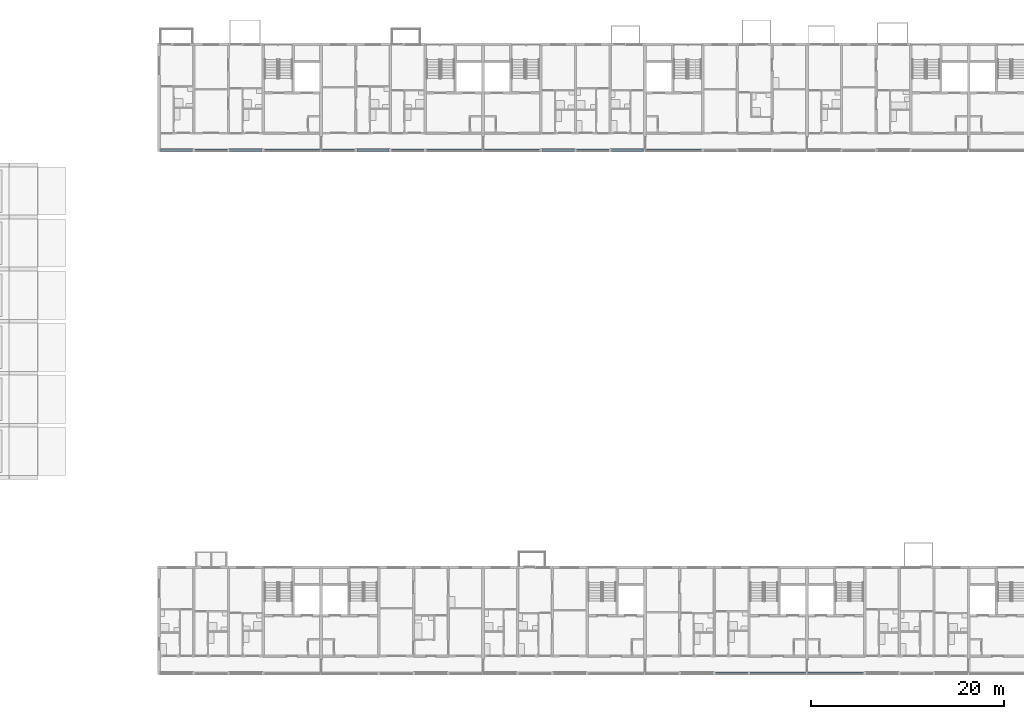
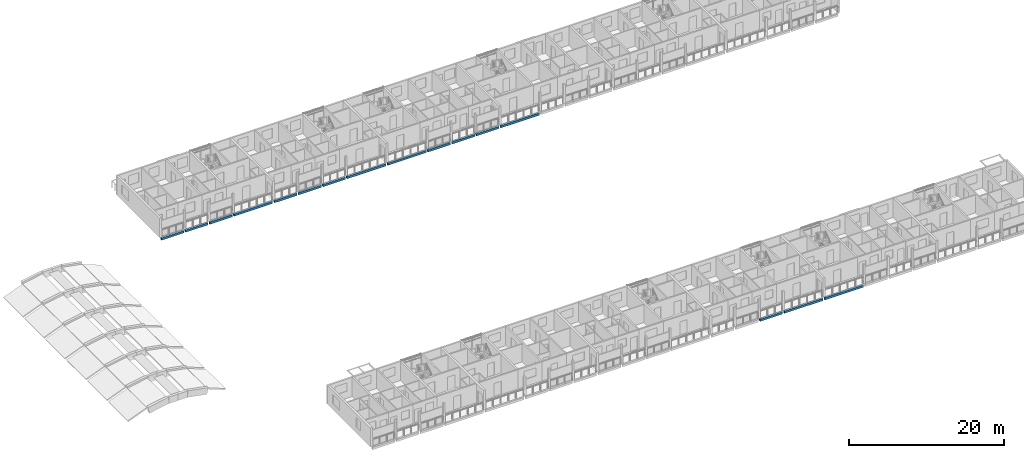
# One storey, part 15 of 93: 16 beams.
"""IFC4 building model written with IfcOpenShell, lengths in metres."""

from ifc_helpers import new_model, si_unit, direction, frame, origin, origin_2d, place, context, subcontext, project, spatial, rectangle, extrude, material, material_profile, profile_set, type_object, element, save


model = new_model("IFC4")

# Units and contexts
model_context = context("Model", 3, precision=1e-05, world=origin(), true_north=direction((0.0, 1.0)))
body_context = subcontext(model_context, "Body", "Model", "MODEL_VIEW")
ifc_project = project(units=[si_unit("LENGTHUNIT", "METRE"), si_unit("AREAUNIT", "SQUARE_METRE"), si_unit("VOLUMEUNIT", "CUBIC_METRE"), si_unit("PLANEANGLEUNIT", "RADIAN"), si_unit("MASSUNIT", "GRAM", prefix="KILO")], contexts=[model_context])

# Site, building, storey
site_placement = place(None, origin())
site = spatial("IfcSite", under=ifc_project, at=site_placement, CompositionType="ELEMENT")
building_placement = place(site_placement, origin())
building = spatial("IfcBuilding", under=site, at=building_placement, Name="Ridgestep Commons", CompositionType="ELEMENT")
storey_placement = place(building_placement, frame((0.0, 0.0, 18.0)))
storey = spatial("IfcBuildingStorey", under=building, at=storey_placement, Name="L06", CompositionType="ELEMENT", Elevation=18.0)

# Beams
ifc_material = material(Name="Precast concrete C40/50", Category="concrete")
ifc_material_profile = material_profile(ifc_material, rectangle(XDim=0.25, YDim=0.35009765625, at=origin_2d()), Name="PC 250x350")
ifc_profile_set = profile_set([ifc_material_profile], Name="Precast concrete C40/50")
beam_type = type_object("IfcBeamType", Name="Loggia edge beam 250 x 350", PredefinedType="SPANDREL", material=ifc_profile_set)
beam_1_placement = place(storey_placement, frame((146.949951171875, 66.125, -0.375), z_axis=(1.0, 0.0, 0.0), x_axis=(0.0, 1.0, 0.0)))
element("IfcBeam", 1, at=beam_1_placement, inside=storey, type_object=beam_type, Name="Loggia edge beam C1T1 L06", PredefinedType="SPANDREL", context=body_context, shape_type="SweptSolid", body=[
    extrude(rectangle(XDim=0.25, YDim=0.35009765625, at=origin_2d()), origin(), (0.0, 0.0, 1.0), 3.324951171875),
])
for number, where, z_axis, x_axis, name in (
    (2, (150.52490234375, 66.125, -0.375), (1.0, 0.0, 0.0), (0.0, 1.0, 0.0), "Loggia edge beam C1T2 L06"),
    (3, (154.125, 66.125, -0.375), (1.0, 0.0, 0.0), (0.0, 1.0, 0.0), "Loggia edge beam C1T3 L06"),
):
    element("IfcBeam", number, at=place(storey_placement, frame(where, z_axis=z_axis, x_axis=x_axis)), inside=storey, type_object=beam_type, Name=name, PredefinedType="SPANDREL", context=body_context, shape_type="SweptSolid", body=[
        extrude(rectangle(XDim=0.25, YDim=0.35009765625, at=origin_2d()), origin(), (0.0, 0.0, 1.0), 3.35009765625),
    ])
beam_2_placement = place(storey_placement, frame((157.72509765625, 66.125, -0.375), z_axis=(1.0, 0.0, 0.0), x_axis=(0.0, 1.0, 0.0)))
element("IfcBeam", 4, at=beam_2_placement, inside=storey, type_object=beam_type, Name="Loggia edge beam C1C L06", PredefinedType="SPANDREL", context=body_context, shape_type="SweptSolid", body=[
    extrude(rectangle(XDim=0.25, YDim=0.35009765625, at=origin_2d()), origin(), (0.0, 0.0, 1.0), 5.724853515625),
])
beam_3_placement = place(storey_placement, frame((163.75, 66.125, -0.375), z_axis=(1.0, 0.0, 0.0), x_axis=(0.0, 1.0, 0.0)))
element("IfcBeam", 5, at=beam_3_placement, inside=storey, type_object=beam_type, Name="Loggia edge beam C2T1 L06", PredefinedType="SPANDREL", context=body_context, shape_type="SweptSolid", body=[
    extrude(rectangle(XDim=0.25, YDim=0.35009765625, at=origin_2d()), origin(), (0.0, 0.0, 1.0), 3.324951171875),
])
beam_4_placement = place(storey_placement, frame((167.324951171875, 66.125, -0.375), z_axis=(1.0, 0.0, 0.0), x_axis=(0.0, 1.0, 0.0)))
element("IfcBeam", 6, at=beam_4_placement, inside=storey, type_object=beam_type, Name="Loggia edge beam C2T2 L06", PredefinedType="SPANDREL", context=body_context, shape_type="SweptSolid", body=[
    extrude(rectangle(XDim=0.25, YDim=0.35009765625, at=origin_2d()), origin(), (0.0, 0.0, 1.0), 3.35009765625),
])
beam_5_placement = place(storey_placement, frame((170.925048828125, 66.125, -0.375), z_axis=(1.0, 0.0, 0.0), x_axis=(0.0, 1.0, 0.0)))
element("IfcBeam", 7, at=beam_5_placement, inside=storey, type_object=beam_type, Name="Loggia edge beam C2T3 L06", PredefinedType="SPANDREL", context=body_context, shape_type="SweptSolid", body=[
    extrude(rectangle(XDim=0.25, YDim=0.35009765625, at=origin_2d()), origin(), (0.0, 0.0, 1.0), 3.349853515625),
])
beam_6_placement = place(storey_placement, frame((174.52490234375, 66.125, -0.375), z_axis=(1.0, 0.0, 0.0), x_axis=(0.0, 1.0, 0.0)))
element("IfcBeam", 8, at=beam_6_placement, inside=storey, type_object=beam_type, Name="Loggia edge beam C2C L06", PredefinedType="SPANDREL", context=body_context, shape_type="SweptSolid", body=[
    extrude(rectangle(XDim=0.25, YDim=0.35009765625, at=origin_2d()), origin(), (0.0, 0.0, 1.0), 5.72509765625),
])
beam_7_placement = place(storey_placement, frame((180.550048828125, 66.125, -0.375), z_axis=(1.0, 0.0, 0.0), x_axis=(0.0, 1.0, 0.0)))
element("IfcBeam", 9, at=beam_7_placement, inside=storey, type_object=beam_type, Name="Loggia edge beam C3C L06", PredefinedType="SPANDREL", context=body_context, shape_type="SweptSolid", body=[
    extrude(rectangle(XDim=0.25, YDim=0.35009765625, at=origin_2d()), origin(), (0.0, 0.0, 1.0), 5.724853515625),
])
for number, where, z_axis, x_axis, name in (
    (10, (186.52490234375, 66.125, -0.375), (1.0, 0.0, 0.0), (0.0, 1.0, 0.0), "Loggia edge beam C3T3 L06"),
    (11, (190.125, 66.125, -0.375), (1.0, 0.0, 0.0), (0.0, 1.0, 0.0), "Loggia edge beam C3T2 L06"),
):
    element("IfcBeam", number, at=place(storey_placement, frame(where, z_axis=z_axis, x_axis=x_axis)), inside=storey, type_object=beam_type, Name=name, PredefinedType="SPANDREL", context=body_context, shape_type="SweptSolid", body=[
        extrude(rectangle(XDim=0.25, YDim=0.35009765625, at=origin_2d()), origin(), (0.0, 0.0, 1.0), 3.35009765625),
    ])
beam_8_placement = place(storey_placement, frame((193.72509765625, 66.125, -0.375), z_axis=(1.0, 0.0, 0.0), x_axis=(0.0, 1.0, 0.0)))
element("IfcBeam", 12, at=beam_8_placement, inside=storey, type_object=beam_type, Name="Loggia edge beam C3T1 L06", PredefinedType="SPANDREL", context=body_context, shape_type="SweptSolid", body=[
    extrude(rectangle(XDim=0.25, YDim=0.35009765625, at=origin_2d()), origin(), (0.0, 0.0, 1.0), 3.324951171875),
])
beam_9_placement = place(storey_placement, frame((197.35009765625, 66.125, -0.375), z_axis=(1.0, 0.0, 0.0), x_axis=(0.0, 1.0, 0.0)))
element("IfcBeam", 13, at=beam_9_placement, inside=storey, type_object=beam_type, Name="Loggia edge beam C4C L06", PredefinedType="SPANDREL", context=body_context, shape_type="SweptSolid", body=[
    extrude(rectangle(XDim=0.25, YDim=0.35009765625, at=origin_2d()), origin(), (0.0, 0.0, 1.0), 5.724853515625),
])
beam_10_placement = place(storey_placement, frame((204.52490234375, 11.875, -0.375), z_axis=(1.0, 0.0, 0.0), x_axis=(0.0, 1.0, 0.0)))
element("IfcBeam", 14, at=beam_10_placement, inside=storey, type_object=beam_type, Name="Loggia edge beam D4T3 L06", PredefinedType="SPANDREL", context=body_context, shape_type="SweptSolid", body=[
    extrude(rectangle(XDim=0.25, YDim=0.35009765625, at=origin_2d()), origin(), (0.0, 0.0, 1.0), 3.35009765625),
])
for number, where, z_axis, x_axis, name in (
    (15, (208.125, 11.875, -0.375), (1.0, 0.0, 0.0), (0.0, 1.0, 0.0), "Loggia edge beam D4C L06"),
    (16, (214.14990234375, 11.875, -0.375), (1.0, 0.0, 0.0), (0.0, 1.0, 0.0), "Loggia edge beam D5C L06"),
):
    element("IfcBeam", number, at=place(storey_placement, frame(where, z_axis=z_axis, x_axis=x_axis)), inside=storey, type_object=beam_type, Name=name, PredefinedType="SPANDREL", context=body_context, shape_type="SweptSolid", body=[
        extrude(rectangle(XDim=0.25, YDim=0.35009765625, at=origin_2d()), origin(), (0.0, 0.0, 1.0), 5.72509765625),
    ])

save(model, "model.ifc")
